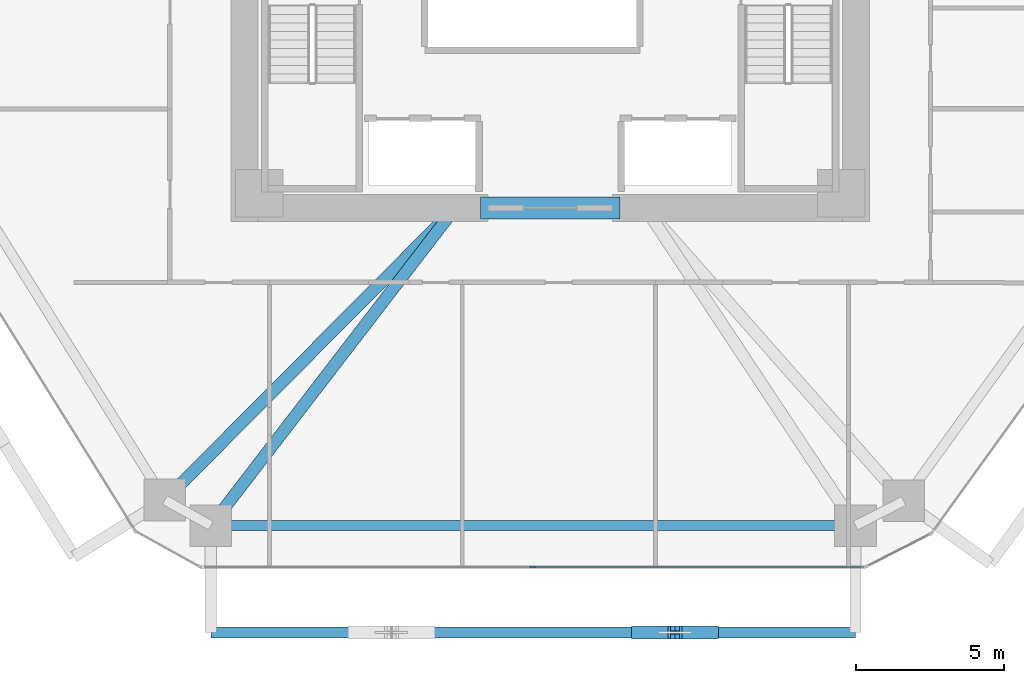
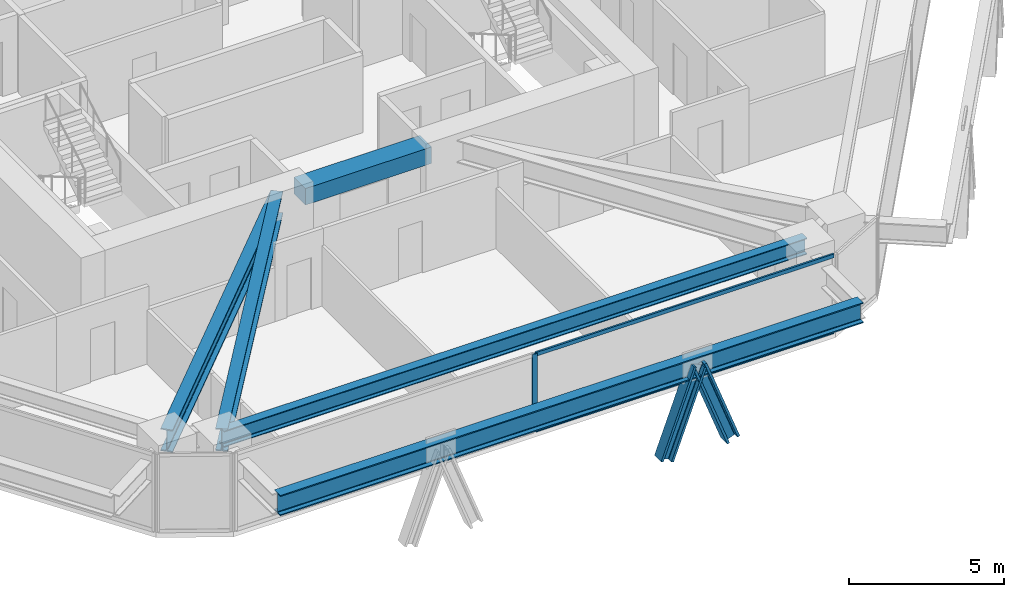
# One storey, part 3 of 17: 5 beams, 5 members, 1 element without a shape of its own.
"""IFC4 building model written with IfcOpenShell, lengths in metres."""

import ifcopenshell
import ifcopenshell.guid

model = None  # the IFC model being written
_history = None  # IfcOwnerHistory: only IFC2X3 demands one
_inside = {}  # id of a spatial element -> (the spatial element, [elements in it])
_under = {}  # id of a project, library or spatial element -> (it, [spatial elements below it])
_declared = {}  # id of a project -> (the project, [libraries it declares])
_typed = {}  # id of a type object -> (the type object, [elements of that type])
_made_of = {}  # id of a material, layer set ... -> (it, [elements and type objects made of it])


def new_model(schema):
    """Start an empty IFC model of exactly this schema.

    Asked for "IFC4X3", IfcOpenShell would pick the latest addendum, in which some entities
    have other attributes; the version numbers below select the first issue.
    IFC2X3 requires an IfcOwnerHistory on every rooted entity: one is made here for all.
    """
    global model, _history
    if schema == "IFC4X3":
        model = ifcopenshell.file(schema_version=(4, 3, 0, 0))
    else:
        model = ifcopenshell.file(schema=schema)
    _inside.clear()
    _under.clear()
    _declared.clear()
    _typed.clear()
    _made_of.clear()
    _history = None
    if model.schema == "IFC2X3":
        org = make("IfcOrganization", Name="unknown")
        user = make(
            "IfcPersonAndOrganization",
            ThePerson=make("IfcPerson", FamilyName="unknown"),
            TheOrganization=org,
        )
        app = make(
            "IfcApplication",
            ApplicationDeveloper=org,
            Version="unknown",
            ApplicationFullName="unknown",
            ApplicationIdentifier="unknown",
        )
        _history = make(
            "IfcOwnerHistory",
            OwningUser=user,
            OwningApplication=app,
            ChangeAction="ADDED",
            CreationDate=0,
        )
    return model


def make(cls, **values):
    """One entity of the class cls with the attributes given. An attribute that is None is left unset."""
    return model.create_entity(
        cls, **{name: value for name, value in values.items() if value is not None}
    )


def rooted(cls, **values):
    """An entity with a GlobalId (a new one), such as an element, a storey or a relation."""
    return make(cls, GlobalId=ifcopenshell.guid.new(), OwnerHistory=_history, **values)


def si_unit(unit_type, name, prefix=None):
    """IfcSIUnit, for example si_unit("LENGTHUNIT", "METRE", prefix="MILLI")."""
    return make("IfcSIUnit", UnitType=unit_type, Prefix=prefix, Name=name)


def assignment(units):
    """IfcUnitAssignment: the units of a project."""
    return None if units is None else make("IfcUnitAssignment", Units=units)


def point(xyz):
    """IfcCartesianPoint."""
    return None if xyz is None else make("IfcCartesianPoint", Coordinates=xyz)


def direction(xyz):
    """IfcDirection."""
    return None if xyz is None else make("IfcDirection", DirectionRatios=xyz)


def frame(location, z_axis=None, x_axis=None):
    """IfcAxis2Placement3D, a coordinate frame: its origin and axes. An axis left out is left unset."""
    return make(
        "IfcAxis2Placement3D",
        Location=point(location),
        Axis=direction(z_axis),
        RefDirection=direction(x_axis),
    )


def frame_2d(location, x_axis=None):
    """IfcAxis2Placement2D, a coordinate frame in the plane: its origin and x axis."""
    return make(
        "IfcAxis2Placement2D", Location=point(location), RefDirection=direction(x_axis)
    )


def origin():
    """The frame at (0, 0, 0) with its axes left unset."""
    return frame((0.0, 0.0, 0.0))


def origin_2d():
    """The frame at (0, 0) in the plane with its x axis left unset."""
    return frame_2d((0.0, 0.0))


def place(relative_to, where):
    """IfcLocalPlacement: puts the frame where relative to a parent placement (None: the world)."""
    return make(
        "IfcLocalPlacement", PlacementRelTo=relative_to, RelativePlacement=where
    )


def context(
    kind, dimensions, precision=None, world=None, true_north=None, identifier=None
):
    """IfcGeometricRepresentationContext, for example the 3D "Model" context."""
    return make(
        "IfcGeometricRepresentationContext",
        ContextIdentifier=identifier,
        ContextType=kind,
        CoordinateSpaceDimension=dimensions,
        Precision=precision,
        WorldCoordinateSystem=world,
        TrueNorth=true_north,
    )


def subcontext(parent, identifier, kind, view, scale=None):
    """IfcGeometricRepresentationSubContext, for example "Body" below "Model"."""
    return make(
        "IfcGeometricRepresentationSubContext",
        ContextIdentifier=identifier,
        ContextType=kind,
        ParentContext=parent,
        TargetScale=scale,
        TargetView=view,
    )


def project(units=None, contexts=None):
    """IfcProject with its units and contexts."""
    return rooted(
        "IfcProject",
        Name="project",
        RepresentationContexts=contexts,
        UnitsInContext=assignment(units),
    )


def spatial(cls, under=None, at=None, **own):
    """A site, building, storey or space (cls), placed at a placement, below another one or the project."""
    s = rooted(cls, ObjectPlacement=at, **own)
    if under is not None:
        _under.setdefault(under.id(), (under, []))[1].append(s)
    return s


def profile(cls, at=None, kind="AREA", **sizes):
    """A parametric profile (cls). Its sizes go by their IFC names, for example OverallWidth=200.0."""
    return make(cls, ProfileType=kind, Position=at, **sizes)


def rectangle(**sizes):
    """IfcRectangleProfileDef."""
    return profile("IfcRectangleProfileDef", **sizes)


def i_section(**sizes):
    """IfcIShapeProfileDef."""
    return profile("IfcIShapeProfileDef", **sizes)


def extrude(swept, where, along, depth):
    """IfcExtrudedAreaSolid: the profile swept, set in the frame where, extruded along a direction by depth."""
    return make(
        "IfcExtrudedAreaSolid",
        SweptArea=swept,
        Position=where,
        ExtrudedDirection=direction(along),
        Depth=depth,
    )


def shape(context_of_items, identifier, shape_type, items):
    """IfcShapeRepresentation: the items that make up one representation, for example the "Body"."""
    return make(
        "IfcShapeRepresentation",
        ContextOfItems=context_of_items,
        RepresentationIdentifier=identifier,
        RepresentationType=shape_type,
        Items=items,
    )


def source(mapping_origin, context_of_items, identifier, shape_type, items):
    """IfcRepresentationMap: a shape defined once, which mapped items show again and again."""
    return make(
        "IfcRepresentationMap",
        MappingOrigin=mapping_origin,
        MappedRepresentation=shape(context_of_items, identifier, shape_type, items),
    )


def transform(
    local_origin,
    x_axis=None,
    y_axis=None,
    z_axis=None,
    scale=None,
    scale2=None,
    scale3=None,
    uniform=True,
):
    """IfcCartesianTransformationOperator3D, or its non-uniform kind. x_axis, y_axis, z_axis: its Axis1, 2, 3."""
    if uniform:
        return make(
            "IfcCartesianTransformationOperator3D",
            Axis1=direction(x_axis),
            Axis2=direction(y_axis),
            LocalOrigin=point(local_origin),
            Scale=scale,
            Axis3=direction(z_axis),
        )
    return make(
        "IfcCartesianTransformationOperator3DnonUniform",
        Axis1=direction(x_axis),
        Axis2=direction(y_axis),
        LocalOrigin=point(local_origin),
        Scale=scale,
        Axis3=direction(z_axis),
        Scale2=scale2,
        Scale3=scale3,
    )


def mapped(mapping_source, mapping_target):
    """IfcMappedItem: shows the shape of a source again, moved by a transform."""
    return make(
        "IfcMappedItem", MappingSource=mapping_source, MappingTarget=mapping_target
    )


def material(Name=None, Category=None):
    """IfcMaterial."""
    return make("IfcMaterial", Name=Name, Category=Category)


def layer(
    of_material, thickness, ventilated=None, Name=None, Category=None, Priority=None
):
    """IfcMaterialLayer: one layer of a wall or slab, of a material (None: an air gap)."""
    return make(
        "IfcMaterialLayer",
        Material=of_material,
        LayerThickness=thickness,
        IsVentilated=ventilated,
        Name=Name,
        Category=Category,
        Priority=Priority,
    )


def layer_set(layers, Name=None):
    """IfcMaterialLayerSet."""
    return make("IfcMaterialLayerSet", MaterialLayers=layers, LayerSetName=Name)


def material_profile(
    of_material, cross_section, Name=None, Category=None, Priority=None
):
    """IfcMaterialProfile: a cross section and its material."""
    return make(
        "IfcMaterialProfile",
        Name=Name,
        Material=of_material,
        Profile=cross_section,
        Priority=Priority,
        Category=Category,
    )


def profile_set(profiles, Name=None, composite=None):
    """IfcMaterialProfileSet."""
    return make(
        "IfcMaterialProfileSet",
        Name=Name,
        MaterialProfiles=profiles,
        CompositeProfile=composite,
    )


def made_of(thing, what):
    """Note that an element or type object is made of a material, layer set ...; save() writes the relation."""
    if what is not None:
        _made_of.setdefault(what.id(), (what, []))[1].append(thing)
    return thing


def type_object(cls, material=None, **own):
    """A type object (cls), such as IfcWallType, which elements share."""
    return made_of(rooted(cls, **own), material)


def type_shapes(of_type, sources):
    """Give a type object the sources (RepresentationMaps) that its elements show as mapped items."""
    of_type.RepresentationMaps = sources


def element(
    cls,
    number,
    at=None,
    inside=None,
    cuts=None,
    type_object=None,
    material=None,
    context=None,
    identifier="Body",
    shape_type=None,
    held_by="IfcProductDefinitionShape",
    body=None,
    shapes=None,
    **own,
):
    """One element of the class cls, such as IfcWall. Its Tag is "e" and its number.

    at: its placement. inside: the storey or other place that contains it. cuts: it is an
    opening in that element (IfcRelVoidsElement). A single representation is given by context,
    identifier, shape_type and body (its items); several are given by shapes. held_by: the class
    of the entity that holds the representations. save() writes the other relations.
    """
    e = rooted(cls, Tag="e%d" % number, ObjectPlacement=at, **own)
    if body is not None:
        shapes = [shape(context, identifier, shape_type, body)]
    if shapes is not None:
        e.Representation = make(held_by, Representations=shapes)
    if inside is not None:
        _inside.setdefault(inside.id(), (inside, []))[1].append(e)
    if cuts is not None:
        rooted(
            "IfcRelVoidsElement", RelatingBuildingElement=cuts, RelatedOpeningElement=e
        )
    if type_object is not None:
        _typed.setdefault(type_object.id(), (type_object, []))[1].append(e)
    return made_of(e, material)


def aggregate(whole, parts):
    """IfcRelAggregates: a whole, such as a stair, and the parts it consists of."""
    return rooted("IfcRelAggregates", RelatingObject=whole, RelatedObjects=parts)


def save(model, path):
    """Write the relations noted so far, then the file.

    IfcRelAggregates (storeys below a building ...), IfcRelContainedInSpatialStructure (elements
    in a storey), IfcRelDefinesByType, IfcRelAssociatesMaterial and IfcRelDeclares: one each for
    every whole, place, type object, material and project.
    """
    for whole, parts in _under.values():
        aggregate(whole, parts)
    for where, things in _inside.values():
        rooted(
            "IfcRelContainedInSpatialStructure",
            RelatedElements=things,
            RelatingStructure=where,
        )
    for kind, things in _typed.values():
        rooted("IfcRelDefinesByType", RelatedObjects=things, RelatingType=kind)
    for what, things in _made_of.values():
        rooted("IfcRelAssociatesMaterial", RelatedObjects=things, RelatingMaterial=what)
    for by, libraries in _declared.values():
        rooted("IfcRelDeclares", RelatingContext=by, RelatedDefinitions=libraries)
    model.write(path)


model = new_model("IFC4")

# Units and contexts
model_context = context("Model", 3, precision=1e-05, world=origin(), true_north=direction((0.0, 1.0)))
body_context = subcontext(model_context, "Body", "Model", "MODEL_VIEW")
ifc_project = project(units=[si_unit("LENGTHUNIT", "METRE"), si_unit("AREAUNIT", "SQUARE_METRE"), si_unit("VOLUMEUNIT", "CUBIC_METRE"), si_unit("PLANEANGLEUNIT", "RADIAN"), si_unit("MASSUNIT", "GRAM", prefix="KILO")], contexts=[model_context])

# Site, building, storey
site_placement = place(None, origin())
site = spatial("IfcSite", under=ifc_project, at=site_placement, CompositionType="ELEMENT")
building_placement = place(site_placement, origin())
building = spatial("IfcBuilding", under=site, at=building_placement, Name="Durnholm Broadcast Tower", CompositionType="ELEMENT")
storey_placement = place(building_placement, frame((0.0, 0.0, 45.60009765625)))
storey = spatial("IfcBuildingStorey", under=building, at=storey_placement, Name="L10", CompositionType="ELEMENT", Elevation=45.60009765625)

# Beams
ifc_material_1 = material(Name="Concrete C70/85", Category="concrete")
ifc_material_profile_1 = material_profile(ifc_material_1, rectangle(XDim=0.75, YDim=0.64990234375, at=origin_2d()), Name="RC750X650")
ifc_profile_set_1 = profile_set([ifc_material_profile_1], Name="Concrete C70/85")
beam_type_1 = type_object("IfcBeamType", Name="BM-CB-RC650", PredefinedType="LINTEL", material=ifc_profile_set_1)
shared_shape_1 = source(origin(), body_context, "Body", "SweptSolid", [
    extrude(rectangle(XDim=0.75, YDim=0.64990234375, at=origin_2d()), origin(), (0.0, 0.0, 1.0), 4.7001953125),
])
type_shapes(beam_type_1, [shared_shape_1])
beam_1_placement = place(storey_placement, frame((-2.35009765625, -8.300048828125, 2.72998046875), z_axis=(1.0, 0.0, 0.0), x_axis=(0.0, 1.0, 0.0)))
element("IfcBeam", 1, at=beam_1_placement, inside=storey, type_object=beam_type_1, Name="L10 south core coupling lintel beam CB-S", PredefinedType="LINTEL", context=body_context, shape_type="MappedRepresentation", body=[
    mapped(shared_shape_1, transform((0.0, 0.0, 0.0), x_axis=(1.0, 0.0, 0.0), y_axis=(0.0, 1.0, 0.0), z_axis=(0.0, 0.0, 1.0), scale=1.0)),
])
ifc_material_2 = material(Name="Steel ASTM A992 Grade 50", Category="steel")
ifc_material_profile_2 = material_profile(ifc_material_2, i_section(OverallWidth=0.3291015625, OverallDepth=0.635009765625, WebThickness=0.017822265625, FlangeThickness=0.031005859375, FilletRadius=0.02783203125, at=origin_2d()), Name="W24X162")
ifc_profile_set_2 = profile_set([ifc_material_profile_2], Name="Steel ASTM A992 Grade 50")
beam_type_2 = type_object("IfcBeamType", Name="STL-SP-W24X162", PredefinedType="SPANDREL", material=ifc_profile_set_2)
shared_shape_2 = source(origin(), body_context, "Body", "SweptSolid", [
    extrude(i_section(OverallWidth=0.3291015625, OverallDepth=0.635009765625, WebThickness=0.017822265625, FlangeThickness=0.031005859375, FilletRadius=0.02783203125, at=origin_2d()), origin(), (0.0, 0.0, 1.0), 21.7138671875),
])
type_shapes(beam_type_2, [shared_shape_2])
beam_2_placement = place(storey_placement, frame((10.28271484375, -19.0, 2.727294921875), z_axis=(-1.0, 0.0, 0.0), x_axis=(0.0, -1.0, 0.0)))
element("IfcBeam", 2, at=beam_2_placement, inside=storey, type_object=beam_type_2, Name="L10 perimeter spandrel girder 11", PredefinedType="SPANDREL", context=body_context, shape_type="MappedRepresentation", body=[
    mapped(shared_shape_2, transform((0.0, 0.0, 0.0), x_axis=(1.0, 0.0, 0.0), y_axis=(0.0, 1.0, 0.0), z_axis=(0.0, 0.0, 1.0), scale=1.0)),
])
ifc_material_profile_3 = material_profile(ifc_material_2, i_section(OverallWidth=0.404052734375, OverallDepth=0.885009765625, WebThickness=0.0244140625, FlangeThickness=0.0439453125, FilletRadius=0.03564453125, at=origin_2d()), Name="W33X291")
ifc_profile_set_3 = profile_set([ifc_material_profile_3], Name="Steel ASTM A992 Grade 50")
beam_type_3 = type_object("IfcBeamType", Name="STL-GR-W33X291", PredefinedType="USERDEFINED", material=ifc_profile_set_3)
shared_shape_3 = source(origin(), body_context, "Body", "SweptSolid", [
    extrude(i_section(OverallWidth=0.404052734375, OverallDepth=0.885009765625, WebThickness=0.0244140625, FlangeThickness=0.0439453125, FilletRadius=0.03564453125, at=origin_2d()), origin(), (0.0, 0.0, 1.0), 13.874267578125),
])
beam_3_placement = place(storey_placement, frame((-3.199951171875, -8.300048828125, 2.602294921875), z_axis=(-0.705097917174, -0.709109954237, 0.0), x_axis=(0.709109954237, -0.705097917174, 0.0)))
element("IfcBeam", 3, at=beam_3_placement, inside=storey, type_object=beam_type_3, Name="L10 radial primary floor girder 01", ObjectType="GIRDER", PredefinedType="USERDEFINED", context=body_context, shape_type="MappedRepresentation", body=[
    mapped(shared_shape_3, transform((0.0, 0.0, 0.0), x_axis=(1.0, 0.0, 0.0), y_axis=(0.0, 1.0, 0.0), z_axis=(0.0, 0.0, 1.0), scale=1.0)),
])
shared_shape_4 = source(origin(), body_context, "Body", "SweptSolid", [
    extrude(i_section(OverallWidth=0.404052734375, OverallDepth=0.885009765625, WebThickness=0.0244140625, FlangeThickness=0.0439453125, FilletRadius=0.03564453125, at=origin_2d()), origin(), (0.0, 0.0, 1.0), 13.499755859375),
])
type_shapes(beam_type_3, [shared_shape_3, shared_shape_4])
beam_4_placement = place(storey_placement, frame((-3.199951171875, -8.300048828125, 2.602294921875), z_axis=(-0.609732610412, -0.79260718127, 0.0), x_axis=(0.79260718127, -0.609732610412, 0.0)))
element("IfcBeam", 4, at=beam_4_placement, inside=storey, type_object=beam_type_3, Name="L10 radial primary floor girder 12", ObjectType="GIRDER", PredefinedType="USERDEFINED", context=body_context, shape_type="MappedRepresentation", body=[
    mapped(shared_shape_4, transform((0.0, 0.0, 0.0), x_axis=(1.0, 0.0, 0.0), y_axis=(0.0, 1.0, 0.0), z_axis=(0.0, 0.0, 1.0), scale=1.0)),
])
ifc_material_profile_4 = material_profile(ifc_material_2, i_section(OverallWidth=0.385009765625, OverallDepth=0.802978515625, WebThickness=0.023681640625, FlangeThickness=0.0419921875, FilletRadius=0.032958984375, at=origin_2d()), Name="W30X261")
ifc_profile_set_4 = profile_set([ifc_material_profile_4], Name="Steel ASTM A992 Grade 50")
beam_type_4 = type_object("IfcBeamType", Name="BM-EXO-TIE", PredefinedType="USERDEFINED", material=ifc_profile_set_4)
shared_shape_5 = source(origin(), body_context, "Body", "SweptSolid", [
    extrude(i_section(OverallWidth=0.385009765625, OverallDepth=0.802978515625, WebThickness=0.023681640625, FlangeThickness=0.0419921875, FilletRadius=0.032958984375, at=origin_2d()), origin(), (0.0, 0.0, 1.0), 21.7138671875),
])
type_shapes(beam_type_4, [shared_shape_5])
beam_5_placement = place(storey_placement, frame((-11.43115234375, -22.60009765625, 2.308349609375), z_axis=(1.0, 0.0, 0.0), x_axis=(0.0, 1.0, 0.0)))
element("IfcBeam", 5, at=beam_5_placement, inside=storey, type_object=beam_type_4, Name="L10 exoskeleton collector spandrel F1", PredefinedType="SPANDREL", context=body_context, shape_type="MappedRepresentation", body=[
    mapped(shared_shape_5, transform((0.0, 0.0, 0.0), x_axis=(1.0, 0.0, 0.0), y_axis=(0.0, 1.0, 0.0), z_axis=(0.0, 0.0, 1.0), scale=1.0)),
])

# Members
ifc_material_3 = material(Name="Steel ASTM A913 Grade 65", Category="steel")
ifc_material_profile_5 = material_profile(ifc_material_3, i_section(OverallWidth=0.43212890625, OverallDepth=0.497802734375, WebThickness=0.0556640625, FlangeThickness=0.0888671875, FilletRadius=0.030517578125, at=origin_2d()), Name="W14X500")
ifc_profile_set_5 = profile_set([ifc_material_profile_5], Name="Steel ASTM A913 Grade 65")
member_type_1 = type_object("IfcMemberType", Name="STL-DG-W14X500", PredefinedType="BRACE", material=ifc_profile_set_5)
shared_shape_6 = source(origin(), body_context, "Body", "SweptSolid", [
    extrude(i_section(OverallWidth=0.43212890625, OverallDepth=0.497802734375, WebThickness=0.0556640625, FlangeThickness=0.0888671875, FilletRadius=0.030517578125, at=origin_2d()), origin(), (0.0, 0.0, 1.0), 3.52294921875),
])
type_shapes(member_type_1, [shared_shape_6])
for number, where, z_axis, x_axis, name in (
    (6, (2.968994140625, -22.60009765625, -0.991455078125), (0.350242321485, 0.0, 0.93665912489), (0.0, 1.0, 0.0), "L10 stand-off diagrid brace F1.D2.1"),
    (7, (5.436767578125, -22.60009765625, -0.991455078125), (-0.350242321485, 0.0, 0.93665912489), (0.0, -1.0, 0.0), "L10 stand-off diagrid brace F1.D2.2"),
):
    element("IfcMember", number, at=place(storey_placement, frame(where, z_axis=z_axis, x_axis=x_axis)), inside=storey, type_object=member_type_1, Name=name, PredefinedType="BRACE", context=body_context, shape_type="MappedRepresentation", body=[
        mapped(shared_shape_6, transform((0.0, 0.0, 0.0), x_axis=(1.0, 0.0, 0.0), y_axis=(0.0, 1.0, 0.0), z_axis=(0.0, 0.0, 1.0), scale=1.0)),
    ])

# Curtain wall, members
ifc_material_4 = material(Name="Aluminium and Solar Control IGU", Category="aluminium")
ifc_layer = layer(ifc_material_4, 0.18994140625)
ifc_layer_set = layer_set([ifc_layer], Name="Aluminium and Solar Control IGU")
curtain_wall_type = type_object("IfcCurtainWallType", Name="CW-SYS-3", PredefinedType="NOTDEFINED", material=ifc_layer_set)
curtain_wall_placement = place(storey_placement, origin())
curtain_wall = element("IfcCurtainWall", 8, at=curtain_wall_placement, inside=storey, type_object=curtain_wall_type, Name="L10 curtain wall CW-Z12-VIS CW-L10-F10", PredefinedType="NOTDEFINED")
ifc_material_5 = material(Name="Aluminium 6063-T6", Category="aluminium")
ifc_material_profile_6 = material_profile(ifc_material_5, rectangle(XDim=0.070068359375, YDim=0.14990234375, at=origin_2d()), Name="CWT70X150")
ifc_profile_set_6 = profile_set([ifc_material_profile_6], Name="Aluminium 6063-T6")
member_type_2 = type_object("IfcMemberType", Name="CW-SYS-3-TRN", PredefinedType="USERDEFINED", material=ifc_profile_set_6)
shared_shape_7 = source(origin(), body_context, "Body", "SweptSolid", [
    extrude(rectangle(XDim=0.070068359375, YDim=0.14990234375, at=origin_2d()), origin(), (0.0, 0.0, 1.0), 11.10205078125),
])
type_shapes(member_type_2, [shared_shape_7])
member_1_placement = place(storey_placement, frame((10.55029296875, -20.39990234375, 0.034912109375), z_axis=(-1.0, 0.0, 0.0), x_axis=(0.0, -1.0, 0.0)))
member_1 = element("IfcMember", 9, at=member_1_placement, type_object=member_type_2, Name="CW-Z12-VIS transom 1.1", ObjectType="TRANSOM", PredefinedType="USERDEFINED", context=body_context, shape_type="MappedRepresentation", body=[
    mapped(shared_shape_7, transform((0.0, 0.0, 0.0), x_axis=(1.0, 0.0, 0.0), y_axis=(0.0, 1.0, 0.0), z_axis=(0.0, 0.0, 1.0), scale=1.0)),
])
member_2_placement = place(storey_placement, frame((10.55029296875, -20.39990234375, 3.02490234375), z_axis=(-1.0, 0.0, 0.0), x_axis=(0.0, -1.0, 0.0)))
member_2 = element("IfcMember", 10, at=member_2_placement, type_object=member_type_2, Name="CW-Z12-VIS transom 1.2", ObjectType="TRANSOM", PredefinedType="USERDEFINED", context=body_context, shape_type="MappedRepresentation", body=[
    mapped(shared_shape_7, transform((0.0, 0.0, 0.0), x_axis=(1.0, 0.0, 0.0), y_axis=(0.0, 1.0, 0.0), z_axis=(0.0, 0.0, 1.0), scale=1.0)),
])
ifc_material_profile_7 = material_profile(ifc_material_5, rectangle(XDim=0.070068359375, YDim=0.18994140625, at=origin_2d()), Name="CWM70X190")
ifc_profile_set_7 = profile_set([ifc_material_profile_7], Name="Aluminium 6063-T6")
member_type_3 = type_object("IfcMemberType", Name="CW-SYS-3-MUL", PredefinedType="MULLION", material=ifc_profile_set_7)
shared_shape_8 = source(origin(), body_context, "Body", "SweptSolid", [
    extrude(rectangle(XDim=0.070068359375, YDim=0.18994140625, at=origin_2d()), origin(), (0.0, 0.0, 1.0), 3.059814453125),
])
type_shapes(member_type_3, [shared_shape_8])
member_3_placement = place(storey_placement, frame((-0.5869140625, -20.39990234375, 0.0), z_axis=(0.0, 0.0, 1.0), x_axis=(0.0, -1.0, 0.0)))
member_3 = element("IfcMember", 11, at=member_3_placement, type_object=member_type_3, Name="CW-Z12-VIS mullion 2", PredefinedType="MULLION", context=body_context, shape_type="MappedRepresentation", body=[
    mapped(shared_shape_8, transform((0.0, 0.0, 0.0), x_axis=(1.0, 0.0, 0.0), y_axis=(0.0, 1.0, 0.0), z_axis=(0.0, 0.0, 1.0), scale=1.0)),
])
aggregate(curtain_wall, [member_3, member_1, member_2])

save(model, "model.ifc")
